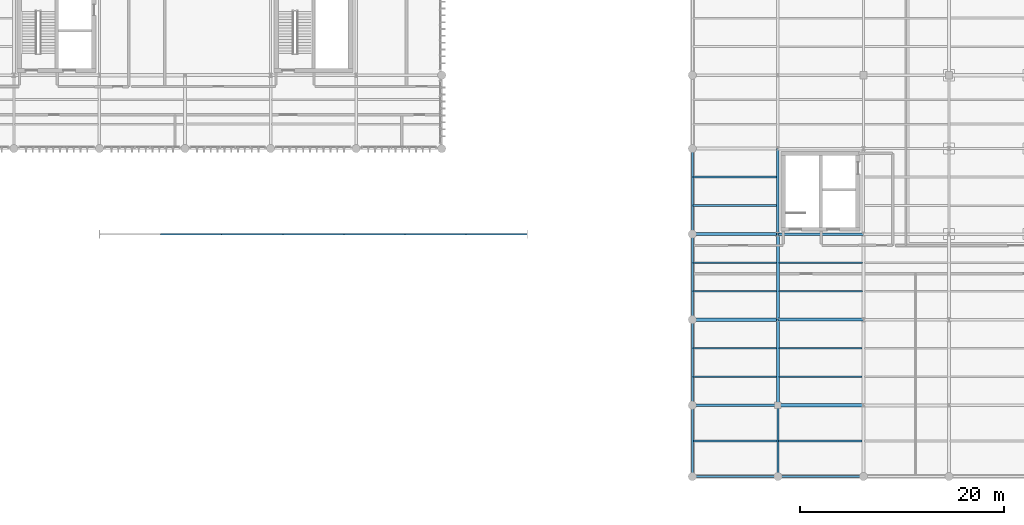
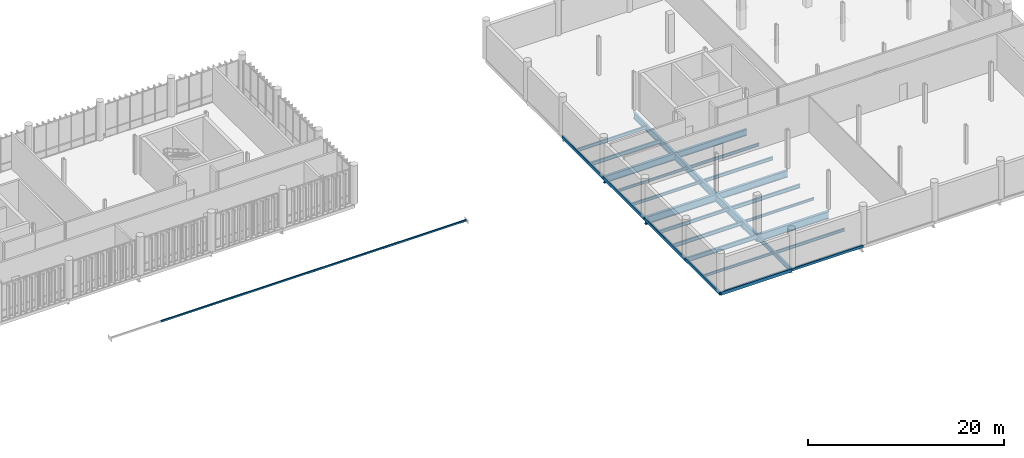
# One storey, part 36 of 94: 28 beams, 6 members.
"""IFC4 building model written with IfcOpenShell, lengths in metres."""

from ifc_helpers import new_model, si_unit, direction, frame, origin_with_axes, origin_2d_with_axis, place, context, subcontext, project, spatial, hollow_rectangle, i_section, extrude, material, material_profile, profile_set, type_object, element, save


model = new_model("IFC4")

# Units and contexts
model_context = context("Model", 3, precision=1e-05, world=origin_with_axes(), true_north=direction((0.0, 1.0)))
body_context = subcontext(model_context, "Body", "Model", "MODEL_VIEW")
ifc_project = project(units=[si_unit("LENGTHUNIT", "METRE"), si_unit("AREAUNIT", "SQUARE_METRE"), si_unit("VOLUMEUNIT", "CUBIC_METRE"), si_unit("PLANEANGLEUNIT", "RADIAN"), si_unit("MASSUNIT", "GRAM", prefix="KILO"), si_unit("THERMODYNAMICTEMPERATUREUNIT", "KELVIN")], contexts=[model_context])

# Site, building, storey
site_placement = place(None, origin_with_axes())
site = spatial("IfcSite", under=ifc_project, at=site_placement, CompositionType="ELEMENT")
building_placement = place(site_placement, origin_with_axes())
building = spatial("IfcBuilding", under=site, at=building_placement, Name="Montbau Bow Law Courts", CompositionType="ELEMENT")
storey_placement = place(building_placement, frame((0.0, 0.0, 15.6), z_axis=(0.0, 0.0, 1.0), x_axis=(1.0, 0.0, 0.0)))
storey = spatial("IfcBuildingStorey", under=building, at=storey_placement, Name="L03", CompositionType="ELEMENT", Elevation=15.6)

# Beams
ifc_material_1 = material(Name="Steel CSA G40.21 Grade 350W (350 MPa)", Category="steel")
ifc_material_profile_1 = material_profile(ifc_material_1, i_section(OverallWidth=0.306, OverallDepth=0.919, WebThickness=0.0173, FlangeThickness=0.0279, at=origin_2d_with_axis()), Name="W920X253", Category="Main", Priority=0)
ifc_profile_set_1 = profile_set([ifc_material_profile_1], Name="Steel CSA G40.21 Grade 350W (350 MPa)")
beam_type_1 = type_object("IfcBeamType", Name="B-FLR-01", PredefinedType="BEAM", material=ifc_profile_set_1)
for number, where, z_axis, x_axis, name in (
    (1, (130.2, 13.8, 14.9), (1.0, 0.0, 0.0), (0.0, 1.0, 0.0), "BM-L03-S1632:bm2_1635"),
    (2, (121.8, 22.2, 14.9), (1.0, 0.0, 0.0), (0.0, 1.0, 0.0), "BM-L03-S1637:bm2_1640"),
    (3, (130.2, 13.8, 14.9), (0.0, 1.0, 0.0), (-1.0, 0.0, 0.0), "BM-L03-S1674:bm2_1677"),
):
    element("IfcBeam", number, at=place(None, frame(where, z_axis=z_axis, x_axis=x_axis)), inside=storey, type_object=beam_type_1, Name=name, PredefinedType="BEAM", context=body_context, shape_type="SweptSolid", body=[
        extrude(i_section(OverallWidth=0.306, OverallDepth=0.919, WebThickness=0.0173, FlangeThickness=0.0279, at=origin_2d_with_axis()), origin_with_axes(), (0.0, 0.0, 1.0), 8.4),
    ])
ifc_material_profile_2 = material_profile(ifc_material_1, i_section(OverallWidth=0.293, OverallDepth=0.846, WebThickness=0.0154, FlangeThickness=0.0244, at=origin_2d_with_axis()), Name="W840X210", Category="Main", Priority=0)
ifc_profile_set_2 = profile_set([ifc_material_profile_2], Name="Steel CSA G40.21 Grade 350W (350 MPa)")
beam_type_2 = type_object("IfcBeamType", Name="B-FLR-02", PredefinedType="BEAM", material=ifc_profile_set_2)
for number, where, z_axis, x_axis, name in (
    (4, (130.2, 22.2, 14.937), (1.0, 0.0, 0.0), (0.0, 1.0, 0.0), "BM-L03-S1638:bm2_1641"),
    (5, (121.8, 30.6, 14.937), (1.0, 0.0, 0.0), (0.0, 1.0, 0.0), "BM-L03-S1643:bm2_1646"),
    (6, (130.2, 22.2, 14.937), (0.0, 1.0, 0.0), (-1.0, 0.0, 0.0), "BM-L03-S1675:bm2_1678"),
):
    element("IfcBeam", number, at=place(None, frame(where, z_axis=z_axis, x_axis=x_axis)), inside=storey, type_object=beam_type_2, Name=name, PredefinedType="BEAM", context=body_context, shape_type="SweptSolid", body=[
        extrude(i_section(OverallWidth=0.293, OverallDepth=0.846, WebThickness=0.0154, FlangeThickness=0.0244, at=origin_2d_with_axis()), origin_with_axes(), (0.0, 0.0, 1.0), 8.4),
    ])
ifc_material_profile_3 = material_profile(ifc_material_1, i_section(OverallWidth=0.267, OverallDepth=0.766, WebThickness=0.0149, FlangeThickness=0.0236, at=origin_2d_with_axis()), Name="W760X185", Category="Main", Priority=0)
ifc_profile_set_3 = profile_set([ifc_material_profile_3], Name="Steel CSA G40.21 Grade 350W (350 MPa)")
beam_type_3 = type_object("IfcBeamType", Name="B-FLR-03", PredefinedType="BEAM", material=ifc_profile_set_3)
for number, where, z_axis, x_axis, name in (
    (7, (130.2, 30.6, 14.977), (1.0, 0.0, 0.0), (0.0, 1.0, 0.0), "BM-L03-S1644:bm2_1647"),
    (8, (130.2, 30.6, 14.977), (0.0, 1.0, 0.0), (-1.0, 0.0, 0.0), "BM-L03-S1676:bm2_1679"),
):
    element("IfcBeam", number, at=place(None, frame(where, z_axis=z_axis, x_axis=x_axis)), inside=storey, type_object=beam_type_3, Name=name, PredefinedType="BEAM", context=body_context, shape_type="SweptSolid", body=[
        extrude(i_section(OverallWidth=0.267, OverallDepth=0.766, WebThickness=0.0149, FlangeThickness=0.0236, at=origin_2d_with_axis()), origin_with_axes(), (0.0, 0.0, 1.0), 8.4),
    ])
ifc_material_profile_4 = material_profile(ifc_material_1, i_section(OverallWidth=0.21, OverallDepth=0.537, WebThickness=0.0109, FlangeThickness=0.0174, at=origin_2d_with_axis()), Name="W530X101", Category="Main", Priority=0)
ifc_profile_set_4 = profile_set([ifc_material_profile_4], Name="Steel CSA G40.21 Grade 350W (350 MPa)")
beam_type_4 = type_object("IfcBeamType", Name="B-FLR-06", PredefinedType="BEAM", material=ifc_profile_set_4)
beam_1_placement = place(None, frame((121.8, 13.8, 15.091), z_axis=(1.0, 0.0, 0.0), x_axis=(0.0, 1.0, 0.0)))
element("IfcBeam", 9, at=beam_1_placement, inside=storey, type_object=beam_type_4, Name="BM-L03-S1631:bm2_1634", PredefinedType="BEAM", context=body_context, shape_type="SweptSolid", body=[
    extrude(i_section(OverallWidth=0.21, OverallDepth=0.537, WebThickness=0.0109, FlangeThickness=0.0174, at=origin_2d_with_axis()), origin_with_axes(), (0.0, 0.0, 1.0), 8.4),
])
beam_2_placement = place(None, frame((130.2, 6.8, 15.091), z_axis=(0.0, 1.0, 0.0), x_axis=(-1.0, 0.0, 0.0)))
element("IfcBeam", 10, at=beam_2_placement, inside=storey, type_object=beam_type_4, Name="BM-L03-S1673:bm2_1676", PredefinedType="BEAM", context=body_context, shape_type="SweptSolid", body=[
    extrude(i_section(OverallWidth=0.21, OverallDepth=0.537, WebThickness=0.0109, FlangeThickness=0.0174, at=origin_2d_with_axis()), origin_with_axes(), (0.0, 0.0, 1.0), 7.0),
])
ifc_material_profile_5 = material_profile(ifc_material_1, i_section(OverallWidth=0.191, OverallDepth=0.46, WebThickness=0.0099, FlangeThickness=0.016, at=origin_2d_with_axis()), Name="W460X82", Category="Main", Priority=0)
ifc_profile_set_5 = profile_set([ifc_material_profile_5], Name="Steel CSA G40.21 Grade 350W (350 MPa)")
beam_type_5 = type_object("IfcBeamType", Name="B-JST-01", PredefinedType="JOIST", material=ifc_profile_set_5)
beam_3_placement = place(None, frame((121.88, 16.6, 15.13), z_axis=(1.0, 0.0, 0.0), x_axis=(0.0, 1.0, 0.0)))
element("IfcBeam", 11, at=beam_3_placement, inside=storey, type_object=beam_type_5, Name="JST-L03-S0948:jst2_0948", PredefinedType="JOIST", context=body_context, shape_type="SweptSolid", body=[
    extrude(i_section(OverallWidth=0.191, OverallDepth=0.46, WebThickness=0.0099, FlangeThickness=0.016, at=origin_2d_with_axis()), origin_with_axes(), (0.0, 0.0, 1.0), 8.191),
])
beam_4_placement = place(None, frame((121.88, 33.4, 15.13), z_axis=(1.0, 0.0, 0.0), x_axis=(0.0, 1.0, 0.0)))
element("IfcBeam", 12, at=beam_4_placement, inside=storey, type_object=beam_type_5, Name="JST-L03-S0952:jst2_0952", PredefinedType="JOIST", context=body_context, shape_type="SweptSolid", body=[
    extrude(i_section(OverallWidth=0.191, OverallDepth=0.46, WebThickness=0.0099, FlangeThickness=0.016, at=origin_2d_with_axis()), origin_with_axes(), (0.0, 0.0, 1.0), 8.21),
])
beam_5_placement = place(None, frame((130.329, 19.4, 15.13), z_axis=(1.0, 0.0, 0.0), x_axis=(0.0, 1.0, 0.0)))
element("IfcBeam", 13, at=beam_5_placement, inside=storey, type_object=beam_type_5, Name="JST-L03-S0960:jst2_0960", PredefinedType="JOIST", context=body_context, shape_type="SweptSolid", body=[
    extrude(i_section(OverallWidth=0.191, OverallDepth=0.46, WebThickness=0.0099, FlangeThickness=0.016, at=origin_2d_with_axis()), origin_with_axes(), (0.0, 0.0, 1.0), 8.148),
])
ifc_material_profile_6 = material_profile(ifc_material_1, i_section(OverallWidth=0.179, OverallDepth=0.41, WebThickness=0.0088, FlangeThickness=0.0144, at=origin_2d_with_axis()), Name="W410X67", Category="Main", Priority=0)
ifc_profile_set_6 = profile_set([ifc_material_profile_6], Name="Steel CSA G40.21 Grade 350W (350 MPa)")
beam_type_6 = type_object("IfcBeamType", Name="B-JST-02", PredefinedType="JOIST", material=ifc_profile_set_6)
beam_6_placement = place(None, frame((121.88, 19.4, 15.155), z_axis=(1.0, 0.0, 0.0), x_axis=(0.0, 1.0, 0.0)))
element("IfcBeam", 14, at=beam_6_placement, inside=storey, type_object=beam_type_6, Name="JST-L03-S0949:jst2_0949", PredefinedType="JOIST", context=body_context, shape_type="SweptSolid", body=[
    extrude(i_section(OverallWidth=0.179, OverallDepth=0.41, WebThickness=0.0088, FlangeThickness=0.0144, at=origin_2d_with_axis()), origin_with_axes(), (0.0, 0.0, 1.0), 8.191),
])
beam_7_placement = place(None, frame((121.88, 36.2, 15.155), z_axis=(1.0, 0.0, 0.0), x_axis=(0.0, 1.0, 0.0)))
element("IfcBeam", 15, at=beam_7_placement, inside=storey, type_object=beam_type_6, Name="JST-L03-S0953:jst2_0953", PredefinedType="JOIST", context=body_context, shape_type="SweptSolid", body=[
    extrude(i_section(OverallWidth=0.179, OverallDepth=0.41, WebThickness=0.0088, FlangeThickness=0.0144, at=origin_2d_with_axis()), origin_with_axes(), (0.0, 0.0, 1.0), 8.21),
])
beam_8_placement = place(None, frame((130.322, 25.0, 15.155), z_axis=(1.0, 0.0, 0.0), x_axis=(0.0, 1.0, 0.0)))
element("IfcBeam", 16, at=beam_8_placement, inside=storey, type_object=beam_type_6, Name="JST-L03-S0961:jst2_0961", PredefinedType="JOIST", context=body_context, shape_type="SweptSolid", body=[
    extrude(i_section(OverallWidth=0.179, OverallDepth=0.41, WebThickness=0.0088, FlangeThickness=0.0144, at=origin_2d_with_axis()), origin_with_axes(), (0.0, 0.0, 1.0), 8.168),
])
ifc_material_profile_7 = material_profile(ifc_material_1, i_section(OverallWidth=0.172, OverallDepth=0.358, WebThickness=0.0079, FlangeThickness=0.0131, at=origin_2d_with_axis()), Name="W360X57", Category="Main", Priority=0)
ifc_profile_set_7 = profile_set([ifc_material_profile_7], Name="Steel CSA G40.21 Grade 350W (350 MPa)")
beam_type_7 = type_object("IfcBeamType", Name="B-JST-03", PredefinedType="JOIST", material=ifc_profile_set_7)
beam_9_placement = place(None, frame((121.88, 25.0, 15.181), z_axis=(1.0, 0.0, 0.0), x_axis=(0.0, 1.0, 0.0)))
element("IfcBeam", 17, at=beam_9_placement, inside=storey, type_object=beam_type_7, Name="JST-L03-S0950:jst2_0950", PredefinedType="JOIST", context=body_context, shape_type="SweptSolid", body=[
    extrude(i_section(OverallWidth=0.172, OverallDepth=0.358, WebThickness=0.0079, FlangeThickness=0.0131, at=origin_2d_with_axis()), origin_with_axes(), (0.0, 0.0, 1.0), 8.197),
])
beam_10_placement = place(None, frame((130.281, 10.3, 15.181), z_axis=(1.0, 0.0, 0.0), x_axis=(0.0, 1.0, 0.0)))
element("IfcBeam", 18, at=beam_10_placement, inside=storey, type_object=beam_type_7, Name="JST-L03-S0958:jst2_0958", PredefinedType="JOIST", context=body_context, shape_type="SweptSolid", body=[
    extrude(i_section(OverallWidth=0.172, OverallDepth=0.358, WebThickness=0.0079, FlangeThickness=0.0131, at=origin_2d_with_axis()), origin_with_axes(), (0.0, 0.0, 1.0), 8.19),
])
beam_11_placement = place(None, frame((130.322, 27.8, 15.181), z_axis=(1.0, 0.0, 0.0), x_axis=(0.0, 1.0, 0.0)))
element("IfcBeam", 19, at=beam_11_placement, inside=storey, type_object=beam_type_7, Name="JST-L03-S0962:jst2_0962", PredefinedType="JOIST", context=body_context, shape_type="SweptSolid", body=[
    extrude(i_section(OverallWidth=0.172, OverallDepth=0.358, WebThickness=0.0079, FlangeThickness=0.0131, at=origin_2d_with_axis()), origin_with_axes(), (0.0, 0.0, 1.0), 8.168),
])
ifc_material_profile_8 = material_profile(ifc_material_1, i_section(OverallWidth=0.166, OverallDepth=0.313, WebThickness=0.0066, FlangeThickness=0.0112, at=origin_2d_with_axis()), Name="W310X45", Category="Main", Priority=0)
ifc_profile_set_8 = profile_set([ifc_material_profile_8], Name="Steel CSA G40.21 Grade 350W (350 MPa)")
beam_type_8 = type_object("IfcBeamType", Name="B-JST-04", PredefinedType="JOIST", material=ifc_profile_set_8)
beam_12_placement = place(None, frame((121.88, 10.3, 15.204), z_axis=(1.0, 0.0, 0.0), x_axis=(0.0, 1.0, 0.0)))
element("IfcBeam", 20, at=beam_12_placement, inside=storey, type_object=beam_type_8, Name="JST-L03-S0947:jst2_0947", PredefinedType="JOIST", context=body_context, shape_type="SweptSolid", body=[
    extrude(i_section(OverallWidth=0.166, OverallDepth=0.313, WebThickness=0.0066, FlangeThickness=0.0112, at=origin_2d_with_axis()), origin_with_axes(), (0.0, 0.0, 1.0), 8.239),
])
beam_13_placement = place(None, frame((121.88, 27.8, 15.204), z_axis=(1.0, 0.0, 0.0), x_axis=(0.0, 1.0, 0.0)))
element("IfcBeam", 21, at=beam_13_placement, inside=storey, type_object=beam_type_8, Name="JST-L03-S0951:jst2_0951", PredefinedType="JOIST", context=body_context, shape_type="SweptSolid", body=[
    extrude(i_section(OverallWidth=0.166, OverallDepth=0.313, WebThickness=0.0066, FlangeThickness=0.0112, at=origin_2d_with_axis()), origin_with_axes(), (0.0, 0.0, 1.0), 8.197),
])
beam_14_placement = place(None, frame((130.329, 16.6, 15.204), z_axis=(1.0, 0.0, 0.0), x_axis=(0.0, 1.0, 0.0)))
element("IfcBeam", 22, at=beam_14_placement, inside=storey, type_object=beam_type_8, Name="JST-L03-S0959:jst2_0959", PredefinedType="JOIST", context=body_context, shape_type="SweptSolid", body=[
    extrude(i_section(OverallWidth=0.166, OverallDepth=0.313, WebThickness=0.0066, FlangeThickness=0.0112, at=origin_2d_with_axis()), origin_with_axes(), (0.0, 0.0, 1.0), 8.148),
])
ifc_material_2 = material(Name="Steel CSA G40.21 Grade 350WT (350 MPa)", Category="steel")
ifc_material_profile_9 = material_profile(ifc_material_2, hollow_rectangle(XDim=0.203, YDim=0.406, WallThickness=0.0127, InnerFilletRadius=0.0254, OuterFilletRadius=0.0127, at=origin_2d_with_axis()), Name="HSS406X203X13", Category="Main", Priority=0)
ifc_profile_set_9 = profile_set([ifc_material_profile_9], Name="Steel CSA G40.21 Grade 350WT (350 MPa)")
beam_type_9 = type_object("IfcBeamType", Name="B-SPN-01", PredefinedType="SPANDREL", material=ifc_profile_set_9)
beam_15_placement = place(None, frame((121.8, 6.8, 15.157), z_axis=(1.0, 0.0, 0.0), x_axis=(0.0, 1.0, 0.0)))
element("IfcBeam", 23, at=beam_15_placement, inside=storey, type_object=beam_type_9, Name="SPN-L03-S1625:bm2_1628", PredefinedType="SPANDREL", context=body_context, shape_type="SweptSolid", body=[
    extrude(hollow_rectangle(XDim=0.203, YDim=0.406, WallThickness=0.0127, InnerFilletRadius=0.0254, OuterFilletRadius=0.0127, at=origin_2d_with_axis()), origin_with_axes(), (0.0, 0.0, 1.0), 8.4),
])
beam_16_placement = place(None, frame((121.8, 6.8, 15.157), z_axis=(0.0, 1.0, 0.0), x_axis=(-1.0, 0.0, 0.0)))
element("IfcBeam", 24, at=beam_16_placement, inside=storey, type_object=beam_type_9, Name="SPN-L03-S1667:bm2_1670", PredefinedType="SPANDREL", context=body_context, shape_type="SweptSolid", body=[
    extrude(hollow_rectangle(XDim=0.203, YDim=0.406, WallThickness=0.0127, InnerFilletRadius=0.0254, OuterFilletRadius=0.0127, at=origin_2d_with_axis()), origin_with_axes(), (0.0, 0.0, 1.0), 7.0),
])
for number, where, z_axis, x_axis, name in (
    (25, (121.8, 13.8, 15.157), (0.0, 1.0, 0.0), (-1.0, 0.0, 0.0), "SPN-L03-S1668:bm2_1671"),
    (26, (121.8, 22.2, 15.157), (0.0, 1.0, 0.0), (-1.0, 0.0, 0.0), "SPN-L03-S1669:bm2_1672"),
    (27, (121.8, 30.6, 15.157), (0.0, 1.0, 0.0), (-1.0, 0.0, 0.0), "SPN-L03-S1670:bm2_1673"),
):
    element("IfcBeam", number, at=place(None, frame(where, z_axis=z_axis, x_axis=x_axis)), inside=storey, type_object=beam_type_9, Name=name, PredefinedType="SPANDREL", context=body_context, shape_type="SweptSolid", body=[
        extrude(hollow_rectangle(XDim=0.203, YDim=0.406, WallThickness=0.0127, InnerFilletRadius=0.0254, OuterFilletRadius=0.0127, at=origin_2d_with_axis()), origin_with_axes(), (0.0, 0.0, 1.0), 8.4),
    ])
ifc_material_profile_10 = material_profile(ifc_material_2, hollow_rectangle(XDim=0.203, YDim=0.305, WallThickness=0.0127, InnerFilletRadius=0.0254, OuterFilletRadius=0.0127, at=origin_2d_with_axis()), Name="HSS305X203X13", Category="Main", Priority=0)
ifc_profile_set_10 = profile_set([ifc_material_profile_10], Name="Steel CSA G40.21 Grade 350WT (350 MPa)")
beam_type_10 = type_object("IfcBeamType", Name="B-SPN-02", PredefinedType="SPANDREL", material=ifc_profile_set_10)
beam_17_placement = place(None, frame((130.2, 6.8, 15.207), z_axis=(1.0, 0.0, 0.0), x_axis=(0.0, 1.0, 0.0)))
element("IfcBeam", 28, at=beam_17_placement, inside=storey, type_object=beam_type_10, Name="SPN-L03-S1626:bm2_1629", PredefinedType="SPANDREL", context=body_context, shape_type="SweptSolid", body=[
    extrude(hollow_rectangle(XDim=0.203, YDim=0.305, WallThickness=0.0127, InnerFilletRadius=0.0254, OuterFilletRadius=0.0127, at=origin_2d_with_axis()), origin_with_axes(), (0.0, 0.0, 1.0), 8.4),
])

# Members
ifc_material_profile_11 = material_profile(ifc_material_2, hollow_rectangle(XDim=0.152, YDim=0.203, WallThickness=0.0095, InnerFilletRadius=0.019, OuterFilletRadius=0.0095, at=origin_2d_with_axis()), Name="HSS203X152X9.5", Category="Main", Priority=0)
ifc_profile_set_11 = profile_set([ifc_material_profile_11], Name="Steel CSA G40.21 Grade 350WT (350 MPa)")
member_type = type_object("IfcMemberType", Name="M-PUR-01", PredefinedType="PURLIN", material=ifc_profile_set_11)
for number, where, z_axis, x_axis, name in (
    (29, (69.6, 30.6, 15.538), (1.0, 0.0, 0.0), (0.0, 1.0, 0.0), "Barrel vault roof truss purlin V4-060"),
    (30, (75.6, 30.6, 15.538), (1.0, 0.0, 0.0), (0.0, 1.0, 0.0), "Barrel vault roof truss purlin V4-067"),
    (31, (81.6, 30.6, 15.538), (1.0, 0.0, 0.0), (0.0, 1.0, 0.0), "Barrel vault roof truss purlin V4-074"),
    (32, (87.6, 30.6, 15.538), (1.0, 0.0, 0.0), (0.0, 1.0, 0.0), "Barrel vault roof truss purlin V4-081"),
    (33, (93.6, 30.6, 15.538), (1.0, 0.0, 0.0), (0.0, 1.0, 0.0), "Barrel vault roof truss purlin V4-088"),
    (34, (99.6, 30.6, 15.538), (1.0, 0.0, 0.0), (0.0, 1.0, 0.0), "Barrel vault roof truss purlin V4-095"),
):
    element("IfcMember", number, at=place(None, frame(where, z_axis=z_axis, x_axis=x_axis)), inside=storey, type_object=member_type, Name=name, PredefinedType="PURLIN", context=body_context, shape_type="SweptSolid", body=[
        extrude(hollow_rectangle(XDim=0.152, YDim=0.203, WallThickness=0.0095, InnerFilletRadius=0.019, OuterFilletRadius=0.0095, at=origin_2d_with_axis()), origin_with_axes(), (0.0, 0.0, 1.0), 6.0),
    ])

save(model, "model.ifc")
